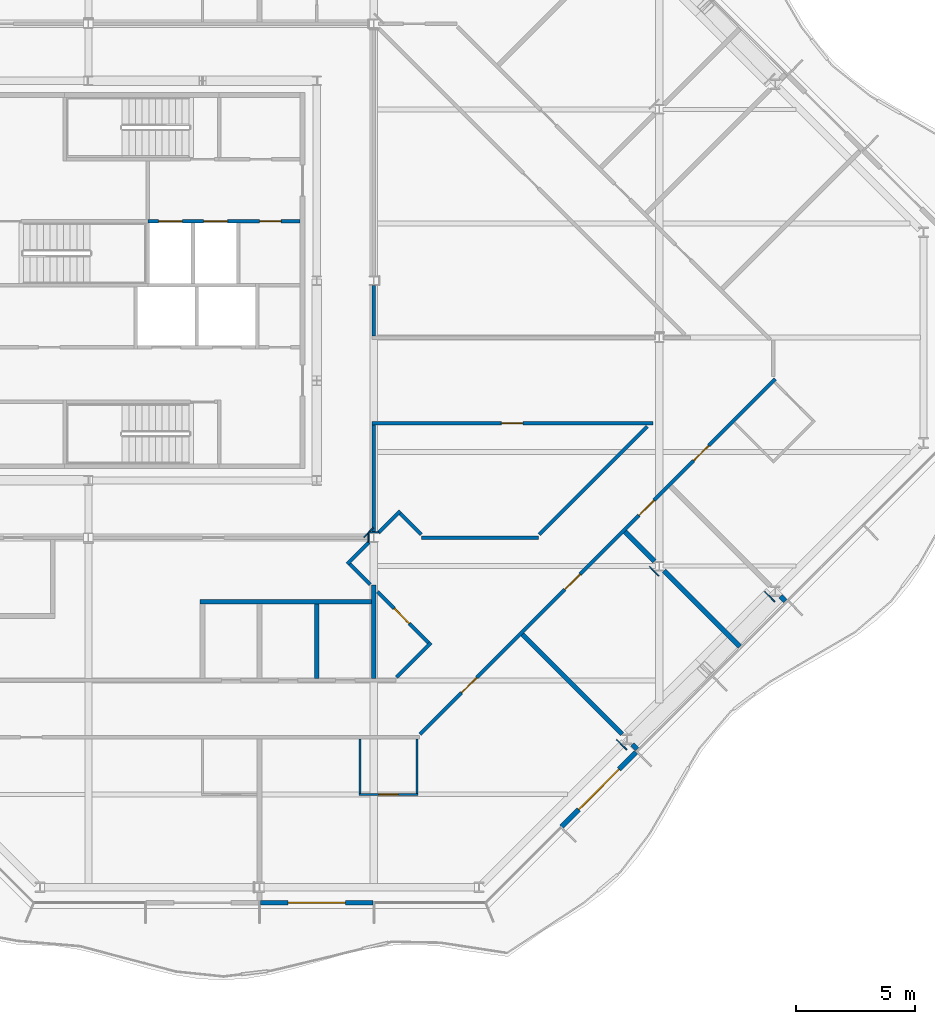
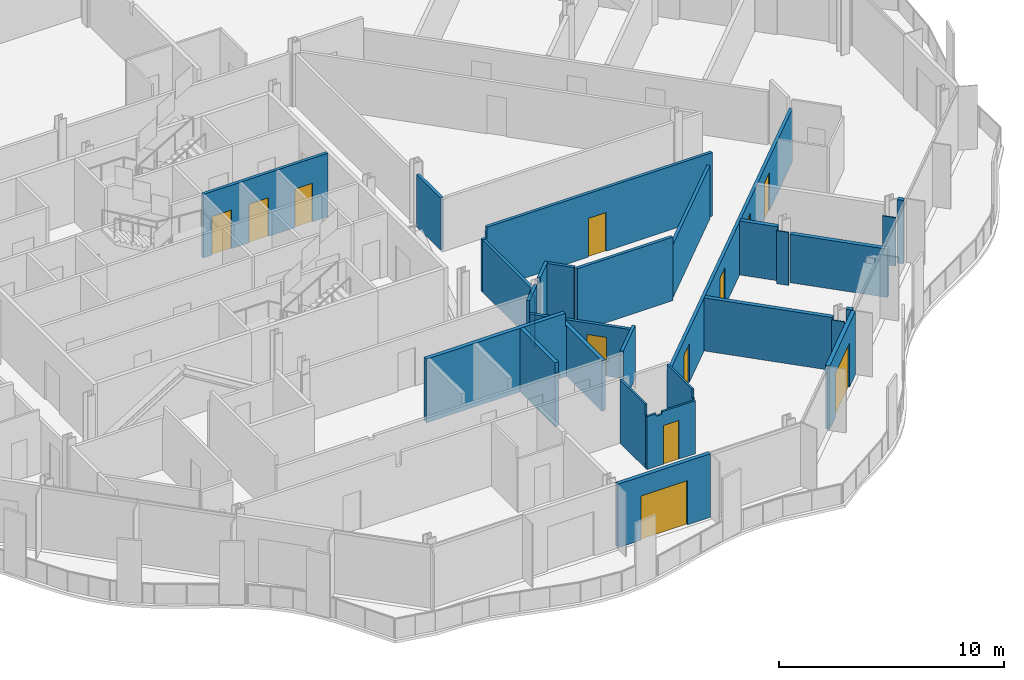
# One storey, part 9 of 17: 32 walls, 12 doors, 12 openings.
"""IFC4 building model written with IfcOpenShell, lengths in metres."""

from ifc_helpers import new_model, si_unit, direction, frame, frame_2d, origin, place, context, subcontext, project, spatial, polyline, rectangle, outline, extrude, material, layer, layer_set, type_object, element, fill, save


model = new_model("IFC4")

# Units and contexts
model_context = context("Model", 3, precision=1e-05, world=origin(), true_north=direction((0.0, 1.0)))
body_context = subcontext(model_context, "Body", "Model", "MODEL_VIEW")
ifc_project = project(units=[si_unit("LENGTHUNIT", "METRE"), si_unit("AREAUNIT", "SQUARE_METRE"), si_unit("VOLUMEUNIT", "CUBIC_METRE"), si_unit("PLANEANGLEUNIT", "RADIAN"), si_unit("MASSUNIT", "GRAM", prefix="KILO")], contexts=[model_context])

# Site, building, storey
site_placement = place(None, origin())
site = spatial("IfcSite", under=ifc_project, at=site_placement, CompositionType="ELEMENT")
building_placement = place(site_placement, origin())
building = spatial("IfcBuilding", under=site, at=building_placement, Name="Cairn Pilgrim Tower", CompositionType="ELEMENT")
storey_placement = place(building_placement, frame((0.0, 0.0, 214.199951171875)))
storey = spatial("IfcBuildingStorey", under=building, at=storey_placement, Name="L54", CompositionType="ELEMENT", Elevation=214.199951171875)

# Wall, opening, door
ifc_material_1 = material(Name="Bronze anodised aluminium insulated sandwich panel with mineral wool fill", Category="aluminium")
ifc_layer_1 = layer(ifc_material_1, 0.199951171875)
ifc_layer_set_1 = layer_set([ifc_layer_1], Name="BRONZE INFILL FRAME WALL 200")
wall_type_1 = type_object("IfcWallType", Name="BRONZE INFILL FRAME WALL 200", PredefinedType="NOTDEFINED", material=ifc_layer_set_1)
wall_1_placement = place(storey_placement, frame((14.429931640625, -23.75, 0.0), z_axis=(0.0, 0.0, 1.0), x_axis=(1.0, 0.0, 0.0)))
wall_1 = element("IfcWall", 1, at=wall_1_placement, inside=storey, type_object=wall_type_1, Name="Bronze infill frame wall IW-S3", PredefinedType="NOTDEFINED", context=body_context, shape_type="SweptSolid", body=[
    extrude(rectangle(XDim=4.739990234375, YDim=0.199951171875, at=frame_2d((2.3701171875, 0.0))), origin(), (0.0, 0.0, 1.0), 3.449951171875),
])
opening_1_placement = place(wall_1_placement, frame((1.169921875, 0.0, 0.0)))
opening_1 = element("IfcOpeningElement", 2, at=opening_1_placement, cuts=wall_1, Name="Opening 5401B2", PredefinedType="OPENING", context=body_context, shape_type="SweptSolid", body=[
    extrude(rectangle(XDim=2.39990234375, YDim=2.39990234375, at=frame_2d((1.199951171875, 1.199951171875))), frame((0.0, 0.10986328125, 0.0), z_axis=(0.0, -1.0, 0.0), x_axis=(1.0, 0.0, 0.0)), (0.0, 0.0, 1.0), 0.219970703125),
])
ifc_material_2 = material(Name="Bronze anodised aluminium frame with tinted low-E glass", Category="aluminium")
door_type_1 = type_object("IfcDoorType", Name="BALCONY SLIDING DOOR 2400x2400", OperationType="DOUBLE_DOOR_SLIDING", PredefinedType="DOOR", material=ifc_material_2)
door_1_placement = place(opening_1_placement, origin())
door_1 = element("IfcDoor", 3, at=door_1_placement, inside=storey, type_object=door_type_1, Name="Balcony sliding door 5401B2", OperationType="SINGLE_SWING_LEFT", OverallHeight=2.39990234375, OverallWidth=2.39990234375, PredefinedType="DOOR", context=body_context, shape_type="SweptSolid", body=[
    extrude(rectangle(XDim=2.39990234375, YDim=2.39990234375, at=frame_2d((1.199951171875, 1.199951171875))), frame((0.0, 0.02490234375, 0.0), z_axis=(0.0, -1.0, 0.0), x_axis=(1.0, 0.0, 0.0)), (0.0, 0.0, 1.0), 0.050048828125),
])
fill(opening_1, door_1)

wall_2_placement = place(storey_placement, frame((27.09326171875, -20.55322265625, 0.0), z_axis=(0.0, 0.0, 1.0), x_axis=(0.707079231393, 0.707134329907, 0.0)))
wall_2 = element("IfcWall", 4, at=wall_2_placement, inside=storey, type_object=wall_type_1, Name="Bronze infill frame wall IW-SE2", PredefinedType="NOTDEFINED", context=body_context, shape_type="SweptSolid", body=[
    extrude(rectangle(XDim=4.430908203125, YDim=0.199951171875, at=frame_2d((2.21533203125, 0.0))), origin(), (0.0, 0.0, 1.0), 3.449951171875),
])
opening_2_placement = place(wall_2_placement, frame((1.015380859375, 0.0, 0.0)))
opening_2 = element("IfcOpeningElement", 5, at=opening_2_placement, cuts=wall_2, Name="Opening 5401B", PredefinedType="OPENING", context=body_context, shape_type="SweptSolid", body=[
    extrude(rectangle(XDim=2.39990234375, YDim=2.39990234375, at=frame_2d((1.199951171875, 1.199951171875))), frame((0.0, 0.10986328125, 0.0), z_axis=(0.0, -1.0, 0.0), x_axis=(1.0, 0.0, 0.0)), (0.0, 0.0, 1.0), 0.219970703125),
])
door_2_placement = place(opening_2_placement, origin())
door_2 = element("IfcDoor", 6, at=door_2_placement, inside=storey, type_object=door_type_1, Name="Balcony sliding door 5401B", OperationType="SINGLE_SWING_LEFT", OverallHeight=2.39990234375, OverallWidth=2.39990234375, PredefinedType="DOOR", context=body_context, shape_type="SweptSolid", body=[
    extrude(rectangle(XDim=2.39990234375, YDim=2.39990234375, at=frame_2d((1.199951171875, 1.199951171875))), frame((0.0, 0.02490234375, 0.0), z_axis=(0.0, -1.0, 0.0), x_axis=(1.0, 0.0, 0.0)), (0.0, 0.0, 1.0), 0.050048828125),
])
fill(opening_2, door_2)

# Wall, openings, doors
ifc_material_3 = material(Name="Concrete C32/40", Category="concrete")
ifc_layer_2 = layer(ifc_material_3, 0.14990234375)
ifc_layer_set_2 = layer_set([ifc_layer_2], Name="CORE SHAFT WALL 150 EI 120")
wall_type_2 = type_object("IfcWallType", Name="CORE SHAFT WALL 150 EI 120", PredefinedType="SOLIDWALL", material=ifc_layer_set_2)
wall_3_placement = place(storey_placement, frame((9.699951171875, 4.89990234375, 0.0), z_axis=(0.0, 0.0, 1.0), x_axis=(1.0, 0.0, 0.0)))
wall_3 = element("IfcWall", 7, at=wall_3_placement, inside=storey, type_object=wall_type_2, Name="CW:L54:H09-3", PredefinedType="SOLIDWALL", context=body_context, shape_type="SweptSolid", body=[
    extrude(rectangle(XDim=6.400146484375, YDim=0.14990234375, at=frame_2d((3.2001953125, 0.0))), origin(), (0.0, 0.0, 1.0), 3.449951171875),
])
opening_3_placement = place(wall_3_placement, frame((0.449951171875, 0.0, 0.0)))
opening_3 = element("IfcOpeningElement", 8, at=opening_3_placement, cuts=wall_3, Name="Opening LD-FF1", PredefinedType="OPENING", context=body_context, shape_type="SweptSolid", body=[
    extrude(rectangle(XDim=1.0, YDim=2.10009765625, at=frame_2d((0.5, 1.050048828125))), frame((0.0, 0.0849609375, 0.0), z_axis=(0.0, -1.0, 0.0), x_axis=(1.0, 0.0, 0.0)), (0.0, 0.0, 1.0), 0.169921875),
])
opening_4_placement = place(wall_3_placement, frame((2.35009765625, 0.0, 0.0)))
opening_4 = element("IfcOpeningElement", 9, at=opening_4_placement, cuts=wall_3, Name="Opening LD-FF2", PredefinedType="OPENING", context=body_context, shape_type="SweptSolid", body=[
    extrude(rectangle(XDim=1.0, YDim=2.10009765625, at=frame_2d((0.5, 1.050048828125))), frame((0.0, 0.0849609375, 0.0), z_axis=(0.0, -1.0, 0.0), x_axis=(1.0, 0.0, 0.0)), (0.0, 0.0, 1.0), 0.169921875),
])
opening_5_placement = place(wall_3_placement, frame((4.699951171875, 0.0, 0.0)))
opening_5 = element("IfcOpeningElement", 10, at=opening_5_placement, cuts=wall_3, Name="Opening RD-R3E", PredefinedType="OPENING", context=body_context, shape_type="SweptSolid", body=[
    extrude(rectangle(XDim=0.89990234375, YDim=2.10009765625, at=frame_2d((0.449951171875, 1.050048828125))), frame((0.0, 0.0849609375, 0.0), z_axis=(0.0, -1.0, 0.0), x_axis=(1.0, 0.0, 0.0)), (0.0, 0.0, 1.0), 0.169921875),
])
ifc_material_4 = material(Name="Stainless steel", Category="steel")
door_type_2 = type_object("IfcDoorType", Name="LIFT LANDING DOOR FIRE 1000x2100", OperationType="DOUBLE_DOOR_SLIDING", PredefinedType="DOOR", material=ifc_material_4)
door_3_placement = place(opening_3_placement, origin())
door_3 = element("IfcDoor", 11, at=door_3_placement, inside=storey, type_object=door_type_2, Name="LANDING DOOR FF1", OperationType="DOUBLE_DOOR_SLIDING", OverallHeight=2.10009765625, OverallWidth=1.0, PredefinedType="DOOR", context=body_context, shape_type="SweptSolid", body=[
    extrude(rectangle(XDim=1.0, YDim=2.10009765625, at=frame_2d((0.5, 1.050048828125))), frame((0.0, 0.02490234375, 0.0), z_axis=(0.0, -1.0, 0.0), x_axis=(1.0, 0.0, 0.0)), (0.0, 0.0, 1.0), 0.050048828125),
])
fill(opening_3, door_3)
door_4_placement = place(opening_4_placement, origin())
door_4 = element("IfcDoor", 12, at=door_4_placement, inside=storey, type_object=door_type_2, Name="LANDING DOOR FF2", OperationType="DOUBLE_DOOR_SLIDING", OverallHeight=2.10009765625, OverallWidth=1.0, PredefinedType="DOOR", context=body_context, shape_type="SweptSolid", body=[
    extrude(rectangle(XDim=1.0, YDim=2.10009765625, at=frame_2d((0.5, 1.050048828125))), frame((0.0, 0.02490234375, 0.0), z_axis=(0.0, -1.0, 0.0), x_axis=(1.0, 0.0, 0.0)), (0.0, 0.0, 1.0), 0.050048828125),
])
fill(opening_4, door_4)
ifc_material_5 = material(Name="Painted steel", Category="steel")
door_type_3 = type_object("IfcDoorType", Name="SERVICE ROOM DOOR 900x2100", OperationType="SINGLE_SWING_LEFT", PredefinedType="DOOR", material=ifc_material_5)
door_5_placement = place(opening_5_placement, origin())
door_5 = element("IfcDoor", 13, at=door_5_placement, inside=storey, type_object=door_type_3, Name="RD-R3E", OperationType="SINGLE_SWING_LEFT", OverallHeight=2.10009765625, OverallWidth=0.89990234375, PredefinedType="DOOR", context=body_context, shape_type="SweptSolid", body=[
    extrude(rectangle(XDim=0.89990234375, YDim=2.10009765625, at=frame_2d((0.449951171875, 1.050048828125))), frame((0.0, 0.02490234375, 0.0), z_axis=(0.0, -1.0, 0.0), x_axis=(1.0, 0.0, 0.0)), (0.0, 0.0, 1.0), 0.050048828125),
])
fill(opening_5, door_5)

# Wall, opening, door
ifc_material_6 = material(Name="Gypsum partition")
ifc_layer_3 = layer(ifc_material_6, 0.10009765625)
ifc_layer_set_3 = layer_set([ifc_layer_3], Name="PARTITION 100 DRYWALL")
wall_type_3 = type_object("IfcWallType", Name="PARTITION 100 DRYWALL", PredefinedType="PARTITIONING", material=ifc_layer_set_3)
wall_4_placement = place(storey_placement, frame((18.568115234375, -19.199951171875, 0.0), z_axis=(0.0, 0.0, 1.0), x_axis=(1.0, 0.0, 0.0)))
wall_4 = element("IfcWall", 14, at=wall_4_placement, inside=storey, type_object=wall_type_3, Name="PARTITION W004", PredefinedType="PARTITIONING", context=body_context, shape_type="SweptSolid", body=[
    extrude(outline(polyline([(0.0, 0.0), (2.5, 0.0), (2.5, 2.880126953125), (0.781982421875, 2.880126953125), (0.780029296875, 2.72998046875), (0.48193359375, 2.72998046875), (0.47998046875, 2.880126953125), (0.0, 2.880126953125), (0.0, 0.0)])), frame((0.0, 0.050048828125, 0.0), z_axis=(0.0, -1.0, 0.0), x_axis=(1.0, 0.0, 0.0)), (0.0, 0.0, 1.0), 0.10009765625),
])
opening_6_placement = place(wall_4_placement, frame((0.85009765625, 0.0, 0.0)))
opening_6 = element("IfcOpeningElement", 15, at=opening_6_placement, cuts=wall_4, Name="Opening 5401A", PredefinedType="OPENING", context=body_context, shape_type="SweptSolid", body=[
    extrude(rectangle(XDim=0.800048828125, YDim=2.10009765625, at=frame_2d((0.39990234375, 1.050048828125))), frame((0.0, 0.06005859375, 0.0), z_axis=(0.0, -1.0, 0.0), x_axis=(1.0, 0.0, 0.0)), (0.0, 0.0, 1.0), 0.1201171875),
])
ifc_material_7 = material(Name="Timber door leaf", Category="wood")
door_type_4 = type_object("IfcDoorType", Name="WC DOOR 800x2100", OperationType="NOTDEFINED", PredefinedType="DOOR", material=ifc_material_7)
door_6_placement = place(opening_6_placement, frame((0.800048828125, 0.0, 0.0), z_axis=(0.0, 0.0, 1.0), x_axis=(-1.0, 0.0, 0.0)))
door_6 = element("IfcDoor", 16, at=door_6_placement, inside=storey, type_object=door_type_4, Name="DOOR 5401A", OperationType="SINGLE_SWING_LEFT", OverallHeight=2.10009765625, OverallWidth=0.800048828125, PredefinedType="DOOR", context=body_context, shape_type="SweptSolid", body=[
    extrude(rectangle(XDim=0.800048828125, YDim=2.10009765625, at=frame_2d((0.39990234375, 1.050048828125))), frame((0.0, 0.02490234375, 0.0), z_axis=(0.0, -1.0, 0.0), x_axis=(1.0, 0.0, 0.0)), (0.0, 0.0, 1.0), 0.050048828125),
])
fill(opening_6, door_6)

# Walls
wall_5_placement = place(storey_placement, frame((18.617919921875, -19.14990234375, 0.0), z_axis=(0.0, 0.0, 1.0), x_axis=(0.0, 1.0, 0.0)))
element("IfcWall", 17, at=wall_5_placement, inside=storey, type_object=wall_type_3, Name="PARTITION W006", PredefinedType="PARTITIONING", context=body_context, shape_type="SweptSolid", body=[
    extrude(outline(polyline([(0.0, 0.0), (2.27490234375, 0.0), (2.27490234375, 3.449951171875), (0.054931640625, 3.449951171875), (0.052978515625, 2.880126953125), (0.0, 2.880126953125), (0.0, 0.0)])), frame((0.0, 0.050048828125, 0.0), z_axis=(0.0, -1.0, 0.0), x_axis=(1.0, 0.0, 0.0)), (0.0, 0.0, 1.0), 0.10009765625),
])
wall_6_placement = place(storey_placement, frame((21.01806640625, -19.14990234375, 0.0), z_axis=(0.0, 0.0, 1.0), x_axis=(0.0, 1.0, 0.0)))
element("IfcWall", 18, at=wall_6_placement, inside=storey, type_object=wall_type_3, Name="PARTITION W007", PredefinedType="PARTITIONING", context=body_context, shape_type="SweptSolid", body=[
    extrude(outline(polyline([(0.0, 0.0), (2.27490234375, 0.0), (2.27490234375, 3.449951171875), (0.044921875, 3.449951171875), (0.04296875, 2.97998046875), (0.0, 2.97998046875), (0.0, 0.0)])), frame((0.0, 0.050048828125, 0.0), z_axis=(0.0, -1.0, 0.0), x_axis=(1.0, 0.0, 0.0)), (0.0, 0.0, 1.0), 0.10009765625),
])

# Wall, openings, doors
ifc_layer_4 = layer(ifc_material_6, 0.14990234375)
ifc_layer_set_4 = layer_set([ifc_layer_4], Name="PARTITION 150 DRYWALL EI 60")
wall_type_4 = type_object("IfcWallType", Name="PARTITION 150 DRYWALL EI 60", PredefinedType="PARTITIONING", material=ifc_layer_set_4)
wall_7_placement = place(storey_placement, frame((21.14599609375, -16.672119140625, 0.0), z_axis=(0.0, 0.0, 1.0), x_axis=(0.707100999376, 0.70711256295, 0.0)))
wall_7 = element("IfcWall", 19, at=wall_7_placement, inside=storey, type_object=wall_type_4, Name="PARTITION W011", PredefinedType="PARTITIONING", context=body_context, shape_type="SweptSolid", body=[
    extrude(rectangle(XDim=21.11279296875, YDim=0.14990234375, at=frame_2d((10.556396484375, 0.0))), origin(), (0.0, 0.0, 1.0), 2.880126953125),
])
opening_7_placement = place(wall_7_placement, frame((2.4658203125, 0.0, 0.0)))
opening_7 = element("IfcOpeningElement", 20, at=opening_7_placement, cuts=wall_7, Name="Opening 5401", PredefinedType="OPENING", context=body_context, shape_type="SweptSolid", body=[
    extrude(rectangle(XDim=0.89990234375, YDim=2.10009765625, at=frame_2d((0.449951171875, 1.050048828125))), frame((0.0, 0.0849609375, 0.0), z_axis=(0.0, -1.0, 0.0), x_axis=(1.0, 0.0, 0.0)), (0.0, 0.0, 1.0), 0.169921875),
])
opening_8_placement = place(wall_7_placement, frame((8.61083984375, 0.0, 0.0)))
opening_8 = element("IfcOpeningElement", 21, at=opening_8_placement, cuts=wall_7, Name="Opening 5402", PredefinedType="OPENING", context=body_context, shape_type="SweptSolid", body=[
    extrude(rectangle(XDim=0.89990234375, YDim=2.10009765625, at=frame_2d((0.449951171875, 1.050048828125))), frame((0.0, 0.0849609375, 0.0), z_axis=(0.0, -1.0, 0.0), x_axis=(1.0, 0.0, 0.0)), (0.0, 0.0, 1.0), 0.169921875),
])
opening_9_placement = place(wall_7_placement, frame((13.01171875, 0.0, 0.0)))
opening_9 = element("IfcOpeningElement", 22, at=opening_9_placement, cuts=wall_7, Name="Opening 5403", PredefinedType="OPENING", context=body_context, shape_type="SweptSolid", body=[
    extrude(rectangle(XDim=0.89990234375, YDim=2.10009765625, at=frame_2d((0.449951171875, 1.050048828125))), frame((0.0, 0.0849609375, 0.0), z_axis=(0.0, -1.0, 0.0), x_axis=(1.0, 0.0, 0.0)), (0.0, 0.0, 1.0), 0.169921875),
])
opening_10_placement = place(wall_7_placement, frame((16.2607421875, 0.0, 0.0)))
opening_10 = element("IfcOpeningElement", 23, at=opening_10_placement, cuts=wall_7, Name="Opening 5404", PredefinedType="OPENING", context=body_context, shape_type="SweptSolid", body=[
    extrude(rectangle(XDim=0.89990234375, YDim=2.10009765625, at=frame_2d((0.449951171875, 1.050048828125))), frame((0.0, 0.0849609375, 0.0), z_axis=(0.0, -1.0, 0.0), x_axis=(1.0, 0.0, 0.0)), (0.0, 0.0, 1.0), 0.169921875),
])
door_type_5 = type_object("IfcDoorType", Name="ROOM DOOR 900x2100 FD30S", OperationType="NOTDEFINED", PredefinedType="DOOR", material=ifc_material_7)
door_7_placement = place(opening_7_placement, frame((0.89990234375, 0.0, 0.0), z_axis=(0.0, 0.0, 1.0), x_axis=(-1.0, 0.0, 0.0)))
door_7 = element("IfcDoor", 24, at=door_7_placement, inside=storey, type_object=door_type_5, Name="DOOR 5401", OperationType="SINGLE_SWING_LEFT", OverallHeight=2.10009765625, OverallWidth=0.89990234375, PredefinedType="DOOR", context=body_context, shape_type="SweptSolid", body=[
    extrude(rectangle(XDim=0.89990234375, YDim=2.10009765625, at=frame_2d((0.449951171875, 1.050048828125))), frame((0.0, 0.02490234375, 0.0), z_axis=(0.0, -1.0, 0.0), x_axis=(1.0, 0.0, 0.0)), (0.0, 0.0, 1.0), 0.050048828125),
])
fill(opening_7, door_7)
door_8_placement = place(opening_10_placement, frame((0.89990234375, 0.0, 0.0), z_axis=(0.0, 0.0, 1.0), x_axis=(-1.0, 0.0, 0.0)))
door_8 = element("IfcDoor", 25, at=door_8_placement, inside=storey, type_object=door_type_5, Name="DOOR 5404", OperationType="SINGLE_SWING_LEFT", OverallHeight=2.10009765625, OverallWidth=0.89990234375, PredefinedType="DOOR", context=body_context, shape_type="SweptSolid", body=[
    extrude(rectangle(XDim=0.89990234375, YDim=2.10009765625, at=frame_2d((0.449951171875, 1.050048828125))), frame((0.0, 0.02490234375, 0.0), z_axis=(0.0, -1.0, 0.0), x_axis=(1.0, 0.0, 0.0)), (0.0, 0.0, 1.0), 0.050048828125),
])
fill(opening_10, door_8)
door_type_6 = type_object("IfcDoorType", Name="SERVICE DOOR 900x2100 FD30S", OperationType="NOTDEFINED", PredefinedType="DOOR", material=ifc_material_7)
door_9_placement = place(opening_8_placement, frame((0.89990234375, 0.0, 0.0), z_axis=(0.0, 0.0, 1.0), x_axis=(-1.0, 0.0, 0.0)))
door_9 = element("IfcDoor", 26, at=door_9_placement, inside=storey, type_object=door_type_6, Name="DOOR 5402", OperationType="SINGLE_SWING_LEFT", OverallHeight=2.10009765625, OverallWidth=0.89990234375, PredefinedType="DOOR", context=body_context, shape_type="SweptSolid", body=[
    extrude(rectangle(XDim=0.89990234375, YDim=2.10009765625, at=frame_2d((0.449951171875, 1.050048828125))), frame((0.0, 0.02490234375, 0.0), z_axis=(0.0, -1.0, 0.0), x_axis=(1.0, 0.0, 0.0)), (0.0, 0.0, 1.0), 0.050048828125),
])
fill(opening_8, door_9)
door_10_placement = place(opening_9_placement, frame((0.89990234375, 0.0, 0.0), z_axis=(0.0, 0.0, 1.0), x_axis=(-1.0, 0.0, 0.0)))
door_10 = element("IfcDoor", 27, at=door_10_placement, inside=storey, type_object=door_type_6, Name="DOOR 5403", OperationType="SINGLE_SWING_LEFT", OverallHeight=2.10009765625, OverallWidth=0.89990234375, PredefinedType="DOOR", context=body_context, shape_type="SweptSolid", body=[
    extrude(rectangle(XDim=0.89990234375, YDim=2.10009765625, at=frame_2d((0.449951171875, 1.050048828125))), frame((0.0, 0.02490234375, 0.0), z_axis=(0.0, -1.0, 0.0), x_axis=(1.0, 0.0, 0.0)), (0.0, 0.0, 1.0), 0.050048828125),
])
fill(opening_9, door_10)

# Wall
wall_8_placement = place(storey_placement, frame((20.15087890625, -14.27197265625, 0.0), z_axis=(0.0, 0.0, 1.0), x_axis=(0.707106781187, 0.707106781187, 0.0)))
element("IfcWall", 28, at=wall_8_placement, inside=storey, type_object=wall_type_4, Name="PARTITION W022", PredefinedType="PARTITIONING", context=body_context, shape_type="SweptSolid", body=[
    extrude(rectangle(XDim=2.054931640625, YDim=0.14990234375, at=frame_2d((1.02734375, 0.0))), origin(), (0.0, 0.0, 1.0), 2.880126953125),
])

# Wall, opening, door
wall_9_placement = place(storey_placement, frame((21.498046875, -12.819091796875, 0.0), z_axis=(0.0, 0.0, 1.0), x_axis=(-0.707106781187, 0.707106781187, 0.0)))
wall_9 = element("IfcWall", 29, at=wall_9_placement, inside=storey, type_object=wall_type_4, Name="PARTITION W025", PredefinedType="PARTITIONING", context=body_context, shape_type="SweptSolid", body=[
    extrude(rectangle(XDim=3.033447265625, YDim=0.14990234375, at=frame_2d((1.5166015625, 0.0))), origin(), (0.0, 0.0, 1.0), 2.72998046875),
])
opening_11_placement = place(wall_9_placement, frame((1.136962890625, 0.0, 0.0)))
opening_11 = element("IfcOpeningElement", 30, at=opening_11_placement, cuts=wall_9, Name="Opening 5417", PredefinedType="OPENING", context=body_context, shape_type="SweptSolid", body=[
    extrude(rectangle(XDim=0.89990234375, YDim=2.10009765625, at=frame_2d((0.449951171875, 1.050048828125))), frame((0.0, 0.0849609375, 0.0), z_axis=(0.0, -1.0, 0.0), x_axis=(1.0, 0.0, 0.0)), (0.0, 0.0, 1.0), 0.169921875),
])
door_11_placement = place(opening_11_placement, origin())
door_11 = element("IfcDoor", 31, at=door_11_placement, inside=storey, type_object=door_type_6, Name="DOOR 5417", OperationType="SINGLE_SWING_RIGHT", OverallHeight=2.10009765625, OverallWidth=0.89990234375, PredefinedType="DOOR", context=body_context, shape_type="SweptSolid", body=[
    extrude(rectangle(XDim=0.89990234375, YDim=2.10009765625, at=frame_2d((0.449951171875, 1.050048828125))), frame((0.0, 0.02490234375, 0.0), z_axis=(0.0, -1.0, 0.0), x_axis=(1.0, 0.0, 0.0)), (0.0, 0.0, 1.0), 0.050048828125),
])
fill(opening_11, door_11)

# Walls
wall_10_placement = place(storey_placement, frame((19.047119140625, -10.3681640625, 0.0), z_axis=(0.0, 0.0, 1.0), x_axis=(-0.707409718716, 0.706803713817, 0.0)))
element("IfcWall", 32, at=wall_10_placement, inside=storey, type_object=wall_type_4, Name="PARTITION W031", PredefinedType="PARTITIONING", context=body_context, shape_type="SweptSolid", body=[
    extrude(rectangle(XDim=1.20849609375, YDim=0.14990234375, at=frame_2d((0.604248046875, 0.0))), origin(), (0.0, 0.0, 1.0), 2.72998046875),
])
wall_11_placement = place(storey_placement, frame((18.0859375, -9.513916015625, 0.0), z_axis=(0.0, 0.0, 1.0), x_axis=(0.707106781187, 0.707106781187, 0.0)))
element("IfcWall", 33, at=wall_11_placement, inside=storey, type_object=wall_type_4, Name="PARTITION W033", PredefinedType="PARTITIONING", context=body_context, shape_type="SweptSolid", body=[
    extrude(rectangle(XDim=1.29541015625, YDim=0.14990234375, at=frame_2d((0.647705078125, 0.0))), origin(), (0.0, 0.0, 1.0), 3.449951171875),
])
wall_12_placement = place(storey_placement, frame((21.215087890625, -8.39990234375, 0.0), z_axis=(0.0, 0.0, 1.0), x_axis=(1.0, 0.0, 0.0)))
element("IfcWall", 34, at=wall_12_placement, inside=storey, type_object=wall_type_4, Name="PARTITION W038", PredefinedType="PARTITIONING", context=body_context, shape_type="SweptSolid", body=[
    extrude(rectangle(XDim=4.9140625, YDim=0.14990234375, at=frame_2d((2.45703125, 0.0))), origin(), (0.0, 0.0, 1.0), 3.449951171875),
])
wall_13_placement = place(storey_placement, frame((21.193115234375, -8.27197265625, 0.0), z_axis=(0.0, 0.0, 1.0), x_axis=(-0.706812296552, 0.70740114323, 0.0)))
element("IfcWall", 35, at=wall_13_placement, inside=storey, type_object=wall_type_4, Name="PARTITION W039", PredefinedType="PARTITIONING", context=body_context, shape_type="SweptSolid", body=[
    extrude(rectangle(XDim=1.243896484375, YDim=0.14990234375, at=frame_2d((0.6220703125, 0.0))), origin(), (0.0, 0.0, 1.0), 3.449951171875),
])
wall_14_placement = place(storey_placement, frame((26.151123046875, -8.27197265625, 0.0), z_axis=(0.0, 0.0, 1.0), x_axis=(0.707163762272, 0.707049795509, 0.0)))
element("IfcWall", 36, at=wall_14_placement, inside=storey, type_object=wall_type_4, Name="PARTITION W040", PredefinedType="PARTITIONING", context=body_context, shape_type="SweptSolid", body=[
    extrude(rectangle(XDim=6.426513671875, YDim=0.14990234375, at=frame_2d((3.21337890625, 0.0))), origin(), (0.0, 0.0, 1.0), 2.880126953125),
])
wall_15_placement = place(storey_placement, frame((19.199951171875, -8.20361328125, 0.0), z_axis=(0.0, 0.0, 1.0), x_axis=(0.0, 1.0, 0.0)))
element("IfcWall", 37, at=wall_15_placement, inside=storey, type_object=wall_type_4, Name="PARTITION W042", PredefinedType="PARTITIONING", context=body_context, shape_type="SweptSolid", body=[
    extrude(rectangle(XDim=4.528564453125, YDim=0.14990234375, at=frame_2d((2.26416015625, 0.0))), origin(), (0.0, 0.0, 1.0), 2.830078125),
])
wall_16_placement = place(storey_placement, frame((19.39794921875, -8.201904296875, 0.0), z_axis=(0.0, 0.0, 1.0), x_axis=(0.707200993001, 0.707012556818, 0.0)))
element("IfcWall", 38, at=wall_16_placement, inside=storey, type_object=wall_type_4, Name="PARTITION W043", PredefinedType="PARTITIONING", context=body_context, shape_type="SweptSolid", body=[
    extrude(rectangle(XDim=1.295654296875, YDim=0.14990234375, at=frame_2d((0.64794921875, 0.0))), origin(), (0.0, 0.0, 1.0), 3.449951171875),
])

# Wall, opening, door
wall_17_placement = place(storey_placement, frame((19.125, -3.60009765625, 0.0), z_axis=(0.0, 0.0, 1.0), x_axis=(1.0, 0.0, 0.0)))
wall_17 = element("IfcWall", 39, at=wall_17_placement, inside=storey, type_object=wall_type_4, Name="PARTITION W048", PredefinedType="PARTITIONING", context=body_context, shape_type="SweptSolid", body=[
    extrude(outline(polyline([(0.0, 0.0), (11.80517578125, 0.0), (11.80517578125, 3.449951171875), (0.22509765625, 3.449951171875), (0.222900390625, 2.830078125), (0.0, 2.830078125), (0.0, 0.0)])), frame((0.0, 0.074951171875, 0.0), z_axis=(0.0, -1.0, 0.0), x_axis=(1.0, 0.0, 0.0)), (0.0, 0.0, 1.0), 0.14990234375),
])
opening_12_placement = place(wall_17_placement, frame((5.43701171875, 0.0, 0.0)))
opening_12 = element("IfcOpeningElement", 40, at=opening_12_placement, cuts=wall_17, Name="Opening 5418", PredefinedType="OPENING", context=body_context, shape_type="SweptSolid", body=[
    extrude(rectangle(XDim=0.89990234375, YDim=2.10009765625, at=frame_2d((0.449951171875, 1.050048828125))), frame((0.0, 0.0849609375, 0.0), z_axis=(0.0, -1.0, 0.0), x_axis=(1.0, 0.0, 0.0)), (0.0, 0.0, 1.0), 0.169921875),
])
door_12_placement = place(opening_12_placement, frame((0.89990234375, 0.0, 0.0), z_axis=(0.0, 0.0, 1.0), x_axis=(-1.0, 0.0, 0.0)))
door_12 = element("IfcDoor", 41, at=door_12_placement, inside=storey, type_object=door_type_6, Name="DOOR 5418", OperationType="SINGLE_SWING_RIGHT", OverallHeight=2.10009765625, OverallWidth=0.89990234375, PredefinedType="DOOR", context=body_context, shape_type="SweptSolid", body=[
    extrude(rectangle(XDim=0.89990234375, YDim=2.10009765625, at=frame_2d((0.449951171875, 1.050048828125))), frame((0.0, 0.02490234375, 0.0), z_axis=(0.0, -1.0, 0.0), x_axis=(1.0, 0.0, 0.0)), (0.0, 0.0, 1.0), 0.050048828125),
])
fill(opening_12, door_12)

# Walls
wall_18_placement = place(storey_placement, frame((19.199951171875, 0.074951171875, 0.0), z_axis=(0.0, 0.0, 1.0), x_axis=(0.0, 1.0, 0.0)))
element("IfcWall", 42, at=wall_18_placement, inside=storey, type_object=wall_type_4, Name="PARTITION W055", PredefinedType="PARTITIONING", context=body_context, shape_type="SweptSolid", body=[
    extrude(rectangle(XDim=2.128662109375, YDim=0.14990234375, at=frame_2d((1.064453125, 0.0))), origin(), (0.0, 0.0, 1.0), 2.830078125),
])
ifc_layer_5 = layer(ifc_material_6, 0.050048828125)
ifc_layer_set_5 = layer_set([ifc_layer_5], Name="PARTITION 50 DRYWALL EI 60")
wall_type_5 = type_object("IfcWallType", Name="PARTITION 50 DRYWALL EI 60", PredefinedType="PARTITIONING", material=ifc_layer_set_5)
wall_19_placement = place(storey_placement, frame((29.833740234375, -17.324462890625, 0.0), z_axis=(0.0, 0.0, 1.0), x_axis=(-0.706906496032, 0.707307009627, 0.0)))
element("IfcWall", 43, at=wall_19_placement, inside=storey, type_object=wall_type_5, Name="COLUMN CASING WC02", PredefinedType="PARTITIONING", context=body_context, shape_type="SweptSolid", body=[
    extrude(rectangle(XDim=0.609619140625, YDim=0.050048828125, at=frame_2d((0.3046875, 0.0))), origin(), (0.0, 0.0, 1.0), 2.929931640625),
])
wall_20_placement = place(storey_placement, frame((31.182373046875, -10.013671875, 0.0), z_axis=(0.0, 0.0, 1.0), x_axis=(-0.707106781187, 0.707106781187, 0.0)))
element("IfcWall", 44, at=wall_20_placement, inside=storey, type_object=wall_type_5, Name="COLUMN CASING WC04", PredefinedType="PARTITIONING", context=body_context, shape_type="SweptSolid", body=[
    extrude(rectangle(XDim=0.56005859375, YDim=0.050048828125, at=frame_2d((0.280029296875, 0.0))), origin(), (0.0, 0.0, 1.0), 2.880126953125),
])
wall_21_placement = place(storey_placement, frame((36.05810546875, -11.10009765625, 0.0), z_axis=(0.0, 0.0, 1.0), x_axis=(-0.707307009627, 0.706906496032, 0.0)))
element("IfcWall", 45, at=wall_21_placement, inside=storey, type_object=wall_type_5, Name="COLUMN CASING WC05", PredefinedType="PARTITIONING", context=body_context, shape_type="SweptSolid", body=[
    extrude(rectangle(XDim=0.609619140625, YDim=0.050048828125, at=frame_2d((0.3046875, 0.0))), origin(), (0.0, 0.0, 1.0), 2.630126953125),
])
wall_22_placement = place(storey_placement, frame((18.786376953125, -8.38232421875, 0.0), z_axis=(0.0, 0.0, 1.0), x_axis=(0.707106781187, 0.707106781187, 0.0)))
element("IfcWall", 46, at=wall_22_placement, inside=storey, type_object=wall_type_5, Name="COLUMN CASING WC07", PredefinedType="PARTITIONING", context=body_context, shape_type="SweptSolid", body=[
    extrude(rectangle(XDim=0.56005859375, YDim=0.050048828125, at=frame_2d((0.280029296875, 0.0))), origin(), (0.0, 0.0, 1.0), 2.830078125),
])
wall_23_placement = place(storey_placement, frame((19.00048828125, -8.178466796875, 0.0), z_axis=(0.0, 0.0, 1.0), x_axis=(1.0, 0.0, 0.0)))
element("IfcWall", 47, at=wall_23_placement, inside=storey, type_object=wall_type_5, Name="COLUMN CASING WC12", PredefinedType="PARTITIONING", context=body_context, shape_type="SweptSolid", body=[
    extrude(rectangle(XDim=0.39892578125, YDim=0.050048828125, at=frame_2d((0.199462890625, 0.0))), origin(), (0.0, 0.0, 1.0), 2.830078125),
])
wall_24_placement = place(storey_placement, frame((18.9755859375, -8.596435546875, 0.0), z_axis=(0.0, 0.0, 1.0), x_axis=(0.0, 1.0, 0.0)))
element("IfcWall", 48, at=wall_24_placement, inside=storey, type_object=wall_type_5, Name="COLUMN CASING WC13", PredefinedType="PARTITIONING", context=body_context, shape_type="SweptSolid", body=[
    extrude(rectangle(XDim=0.392822265625, YDim=0.050048828125, at=frame_2d((0.1962890625, 0.0))), origin(), (0.0, 0.0, 1.0), 2.830078125),
])
ifc_layer_6 = layer(ifc_material_6, 0.199951171875)
ifc_layer_set_6 = layer_set([ifc_layer_6], Name="SHAFT WALL 200 GYPSUM EI 60")
wall_type_6 = type_object("IfcWallType", Name="SHAFT WALL 200 GYPSUM EI 60", PredefinedType="PARTITIONING", material=ifc_layer_set_6)
wall_25_placement = place(storey_placement, frame((30.268798828125, -17.292724609375, 0.0), z_axis=(0.0, 0.0, 1.0), x_axis=(-0.707106781187, 0.707106781187, 0.0)))
element("IfcWall", 49, at=wall_25_placement, inside=storey, type_object=wall_type_6, Name="PARTITION W008", PredefinedType="PARTITIONING", context=body_context, shape_type="SweptSolid", body=[
    extrude(rectangle(XDim=0.28515625, YDim=0.199951171875, at=frame_2d((0.142578125, 0.0))), origin(), (0.0, 0.0, 1.0), 3.449951171875),
])
wall_26_placement = place(storey_placement, frame((29.635986328125, -16.66015625, 0.0), z_axis=(0.0, 0.0, 1.0), x_axis=(-0.707106781187, 0.707106781187, 0.0)))
element("IfcWall", 50, at=wall_26_placement, inside=storey, type_object=wall_type_6, Name="PARTITION W012", PredefinedType="PARTITIONING", context=body_context, shape_type="SweptSolid", body=[
    extrude(rectangle(XDim=5.919921875, YDim=0.199951171875, at=frame_2d((2.9599609375, 0.0))), origin(), (0.0, 0.0, 1.0), 2.880126953125),
])
wall_27_placement = place(storey_placement, frame((16.800048828125, -14.324951171875, 0.0), z_axis=(0.0, 0.0, 1.0), x_axis=(0.0, 1.0, 0.0)))
element("IfcWall", 51, at=wall_27_placement, inside=storey, type_object=wall_type_6, Name="PARTITION W020", PredefinedType="PARTITIONING", context=body_context, shape_type="SweptSolid", body=[
    extrude(outline(polyline([(0.0, 0.0), (3.125, 0.0), (3.125, 3.449951171875), (0.030029296875, 3.449951171875), (0.028076171875, 2.880126953125), (0.0, 2.880126953125), (0.0, 0.0)])), frame((0.0, 0.10009765625, 0.0), z_axis=(0.0, -1.0, 0.0), x_axis=(1.0, 0.0, 0.0)), (0.0, 0.0, 1.0), 0.199951171875),
])
wall_28_placement = place(storey_placement, frame((19.199951171875, -14.324951171875, 0.0), z_axis=(0.0, 0.0, 1.0), x_axis=(0.0, 1.0, 0.0)))
element("IfcWall", 52, at=wall_28_placement, inside=storey, type_object=wall_type_6, Name="PARTITION W021", PredefinedType="PARTITIONING", context=body_context, shape_type="SweptSolid", body=[
    extrude(rectangle(XDim=3.92041015625, YDim=0.199951171875, at=frame_2d((1.960205078125, 0.0))), origin(), (0.0, 0.0, 1.0), 2.72998046875),
])
wall_29_placement = place(storey_placement, frame((34.580810546875, -12.980712890625, 0.0), z_axis=(0.0, 0.0, 1.0), x_axis=(-0.707133900936, 0.707079660397, 0.0)))
element("IfcWall", 53, at=wall_29_placement, inside=storey, type_object=wall_type_6, Name="PARTITION W024", PredefinedType="PARTITIONING", context=body_context, shape_type="SweptSolid", body=[
    extrude(rectangle(XDim=4.5009765625, YDim=0.199951171875, at=frame_2d((2.25048828125, 0.0))), origin(), (0.0, 0.0, 1.0), 2.630126953125),
])
wall_30_placement = place(storey_placement, frame((11.89990234375, -11.10009765625, 0.0), z_axis=(0.0, 0.0, 1.0), x_axis=(1.0, 0.0, 0.0)))
element("IfcWall", 54, at=wall_30_placement, inside=storey, type_object=wall_type_6, Name="PARTITION W028", PredefinedType="PARTITIONING", context=body_context, shape_type="SweptSolid", body=[
    extrude(outline(polyline([(0.0, 0.0), (7.2001953125, 0.0), (7.199951171875, 2.72998046875), (7.14990234375, 2.72998046875), (7.14794921875, 3.449951171875), (0.0, 3.449951171875), (0.0, 0.0)])), frame((0.0, 0.10009765625, 0.0), z_axis=(0.0, -1.0, 0.0), x_axis=(1.0, 0.0, 0.0)), (0.0, 0.0, 1.0), 0.199951171875),
])
wall_31_placement = place(storey_placement, frame((36.492919921875, -11.06884765625, 0.0), z_axis=(0.0, 0.0, 1.0), x_axis=(-0.707534423513, 0.706678880075, 0.0)))
element("IfcWall", 55, at=wall_31_placement, inside=storey, type_object=wall_type_6, Name="PARTITION W029", PredefinedType="PARTITIONING", context=body_context, shape_type="SweptSolid", body=[
    extrude(rectangle(XDim=0.285400390625, YDim=0.199951171875, at=frame_2d((0.142578125, 0.0))), origin(), (0.0, 0.0, 1.0), 3.449951171875),
])
wall_32_placement = place(storey_placement, frame((31.001953125, -9.402099609375, 0.0), z_axis=(0.0, 0.0, 1.0), x_axis=(-0.707106781187, 0.707106781187, 0.0)))
element("IfcWall", 56, at=wall_32_placement, inside=storey, type_object=wall_type_6, Name="PARTITION W034", PredefinedType="PARTITIONING", context=body_context, shape_type="SweptSolid", body=[
    extrude(rectangle(XDim=1.753662109375, YDim=0.199951171875, at=frame_2d((0.876953125, 0.0))), origin(), (0.0, 0.0, 1.0), 2.929931640625),
])

save(model, "model.ifc")
